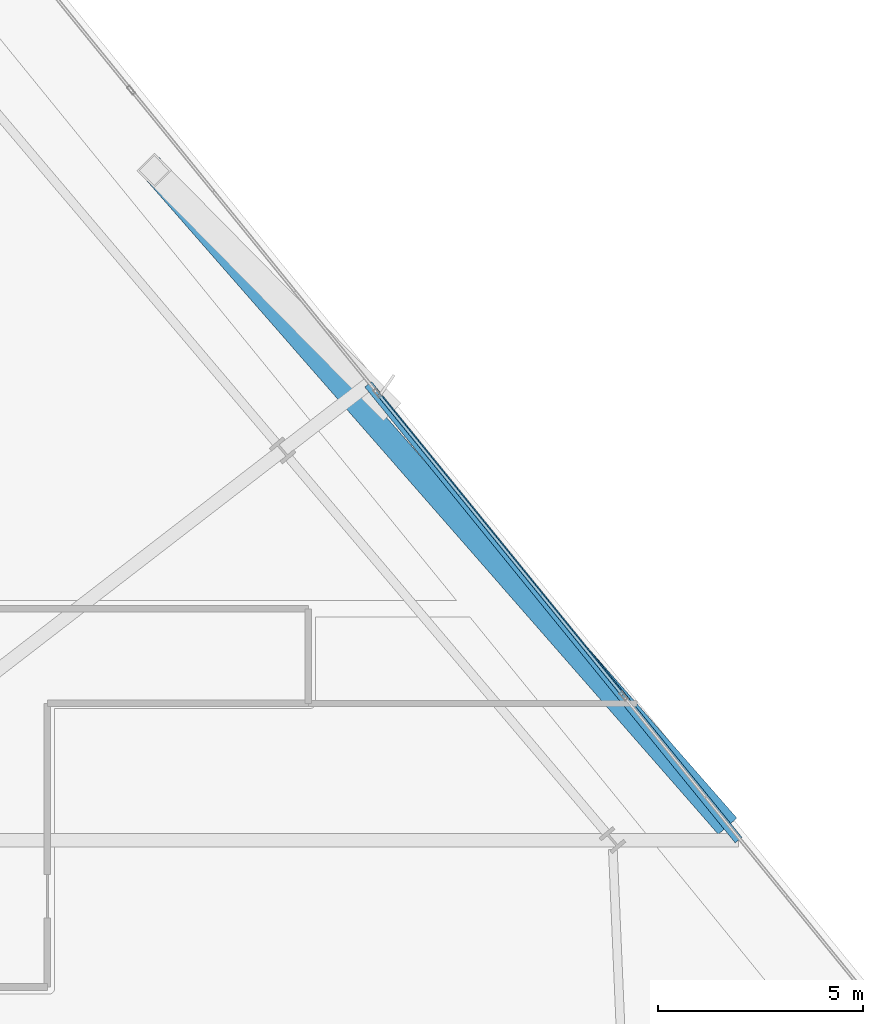
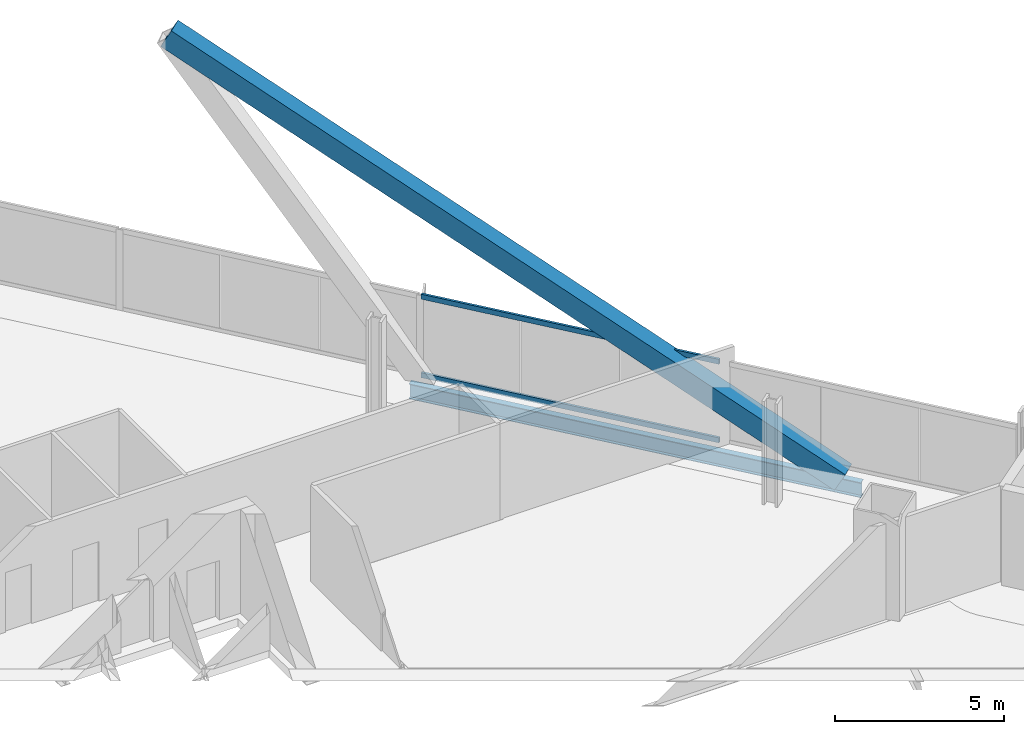
# One storey, part 21 of 36: 3 members, 1 beam, 1 element without a shape of its own.
"""IFC4 building model written with IfcOpenShell, lengths in metres."""

from ifc_helpers import new_model, si_unit, direction, frame, origin, origin_2d, place, context, subcontext, project, spatial, hollow_rectangle, i_section, extrude, material, material_profile, profile_set, type_object, element, aggregate, save


model = new_model("IFC4")

# Units and contexts
model_context = context("Model", 3, precision=1e-05, world=origin(), true_north=direction((0.0, 1.0)))
body_context = subcontext(model_context, "Body", "Model", "MODEL_VIEW")
ifc_project = project(units=[si_unit("LENGTHUNIT", "METRE"), si_unit("AREAUNIT", "SQUARE_METRE"), si_unit("VOLUMEUNIT", "CUBIC_METRE"), si_unit("PLANEANGLEUNIT", "RADIAN"), si_unit("MASSUNIT", "GRAM", prefix="KILO")], contexts=[model_context])

# Site, building, storey
site_placement = place(None, origin())
site = spatial("IfcSite", under=ifc_project, at=site_placement, CompositionType="ELEMENT")
building_placement = place(site_placement, origin())
building = spatial("IfcBuilding", under=site, at=building_placement, Name="Haldenkirk Collegiate Tower", CompositionType="ELEMENT")
storey_placement = place(building_placement, frame((0.0, 0.0, 159.449951171875)))
storey = spatial("IfcBuildingStorey", under=building, at=storey_placement, Name="L39", CompositionType="ELEMENT", Elevation=159.449951171875)

# Beam
ifc_material_1 = material(Name="Steel ASTM A992 Grade 50", Category="steel")
ifc_material_profile_1 = material_profile(ifc_material_1, i_section(OverallWidth=0.2119140625, OverallDepth=0.5439453125, WebThickness=0.01318359375, FlangeThickness=0.021240234375, at=origin_2d()), Name="W21X83")
ifc_profile_set_1 = profile_set([ifc_material_profile_1], Name="Steel ASTM A992 Grade 50")
beam_type = type_object("IfcBeamType", Name="BM-SPANDREL-W21X83", PredefinedType="SPANDREL", material=ifc_profile_set_1)
beam_placement = place(storey_placement, frame((64.268310546875, 30.82421875, -0.56201171875), z_axis=(-0.630684584617, 0.776039273959, 0.0), x_axis=(-0.776039273959, -0.630684584617, 0.0)))
element("IfcBeam", 1, at=beam_placement, inside=storey, type_object=beam_type, Name="L39 outer facade edge beam 2", PredefinedType="SPANDREL", context=body_context, shape_type="SweptSolid", body=[
    extrude(i_section(OverallWidth=0.2119140625, OverallDepth=0.5439453125, WebThickness=0.01318359375, FlangeThickness=0.021240234375, at=origin_2d()), origin(), (0.0, 0.0, 1.0), 14.2919921875),
])

# Curtain wall, members
ifc_material_2 = material(Name="Anodised architectural bronze aluminium", Category="aluminium")
curtain_wall_type = type_object("IfcCurtainWallType", Name="CW-SYS1-CONVEX-LOW", PredefinedType="USERDEFINED", material=ifc_material_2)
curtain_wall_placement = place(storey_placement, origin())
curtain_wall = element("IfcCurtainWall", 2, at=curtain_wall_placement, inside=storey, type_object=curtain_wall_type, Name="L39 Lower tower convex bronze-framed unitised curtain wall", ObjectType="UNITISED CURTAIN WALL", PredefinedType="USERDEFINED")
ifc_material_profile_2 = material_profile(ifc_material_2, hollow_rectangle(XDim=0.080078125, YDim=0.179931640625, WallThickness=0.0048828125, at=origin_2d()), Name="CW-TRN-1A")
ifc_profile_set_2 = profile_set([ifc_material_profile_2], Name="Anodised architectural bronze aluminium")
member_type_1 = type_object("IfcMemberType", Name="CW-TRN-1A", PredefinedType="USERDEFINED", material=ifc_profile_set_2)
member_1_placement = place(storey_placement, frame((55.5048828125, 41.6708984375, 0.0400390625), z_axis=(0.630691165744, -0.776033925452, 0.0), x_axis=(0.776033925452, 0.630691165744, 0.0)))
member_1 = element("IfcMember", 3, at=member_1_placement, type_object=member_type_1, Name="CW-1A transom 3.1", ObjectType="TRANSOM", PredefinedType="USERDEFINED", context=body_context, shape_type="SweptSolid", body=[
    extrude(hollow_rectangle(XDim=0.080078125, YDim=0.179931640625, WallThickness=0.0048828125, at=origin_2d()), origin(), (0.0, 0.0, 1.0), 9.420166015625),
])
member_2_placement = place(storey_placement, frame((55.5048828125, 41.6708984375, 2.87109375), z_axis=(0.630691165744, -0.776033925452, 0.0), x_axis=(0.776033925452, 0.630691165744, 0.0)))
member_2 = element("IfcMember", 4, at=member_2_placement, type_object=member_type_1, Name="CW-1A transom 3.2", ObjectType="TRANSOM", PredefinedType="USERDEFINED", context=body_context, shape_type="SweptSolid", body=[
    extrude(hollow_rectangle(XDim=0.080078125, YDim=0.179931640625, WallThickness=0.0048828125, at=origin_2d()), origin(), (0.0, 0.0, 1.0), 9.420166015625),
])
aggregate(curtain_wall, [member_1, member_2])

# Member
ifc_material_3 = material(Name="Steel ASTM A572 Grade 50", Category="steel")
ifc_material_profile_3 = material_profile(ifc_material_3, hollow_rectangle(XDim=0.60009765625, YDim=0.719970703125, WallThickness=0.044921875, at=origin_2d()), Name="BOX720X600X45")
ifc_profile_set_3 = profile_set([ifc_material_profile_3], Name="Steel ASTM A572 Grade 50")
member_type_2 = type_object("IfcMemberType", Name="MBR-MEGABRACE-BOX720X600X45", PredefinedType="BRACE", material=ifc_profile_set_3)
member_3_placement = place(storey_placement, frame((63.889892578125, 31.289794921875, -0.300048828125), z_axis=(-0.580429896262, 0.663743330998, 0.471747735639), x_axis=(-0.752770859351, -0.658282639383, 0.0)))
element("IfcMember", 5, at=member_3_placement, inside=storey, type_object=member_type_2, Name="Perimeter Mega Brace Z3 L39-L41 EL", PredefinedType="BRACE", context=body_context, shape_type="SweptSolid", body=[
    extrude(hollow_rectangle(XDim=0.60009765625, YDim=0.719970703125, WallThickness=0.044921875, at=origin_2d()), origin(), (0.0, 0.0, 1.0), 23.847412109375),
])

save(model, "model.ifc")
